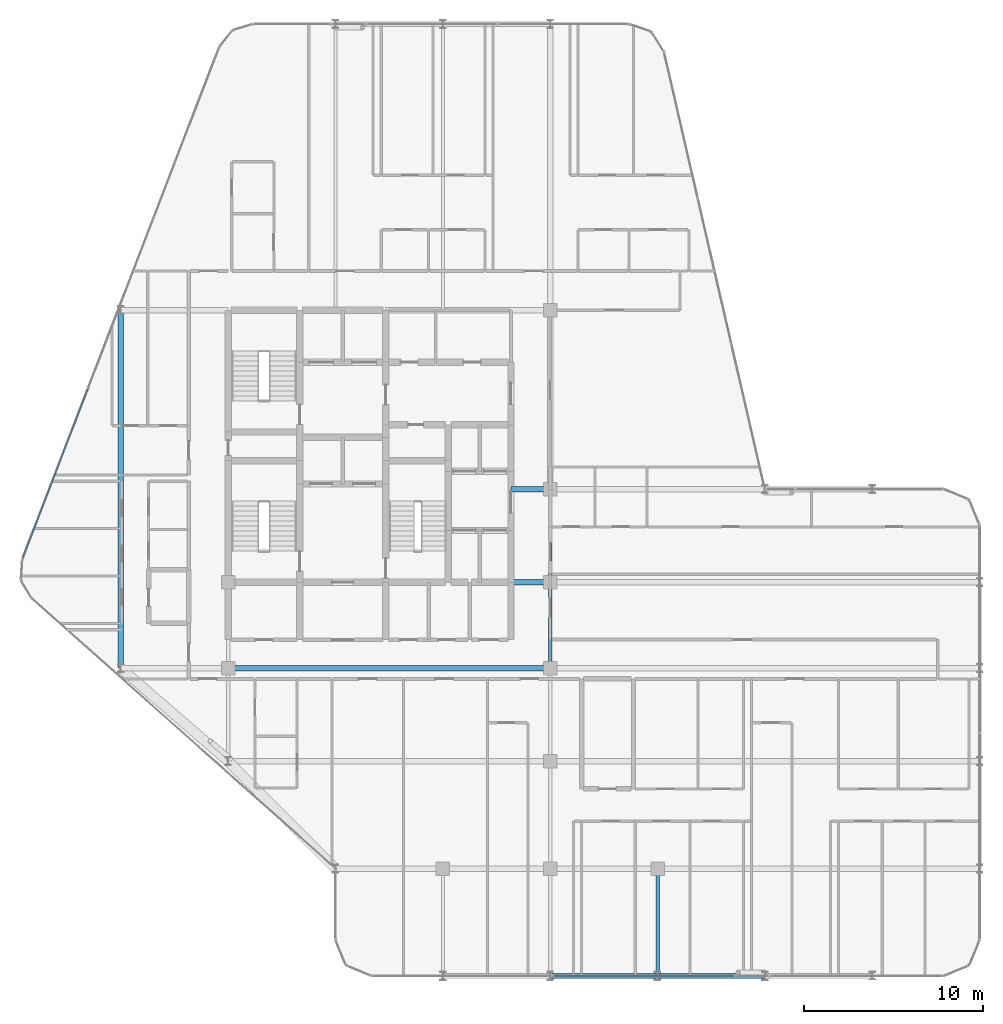
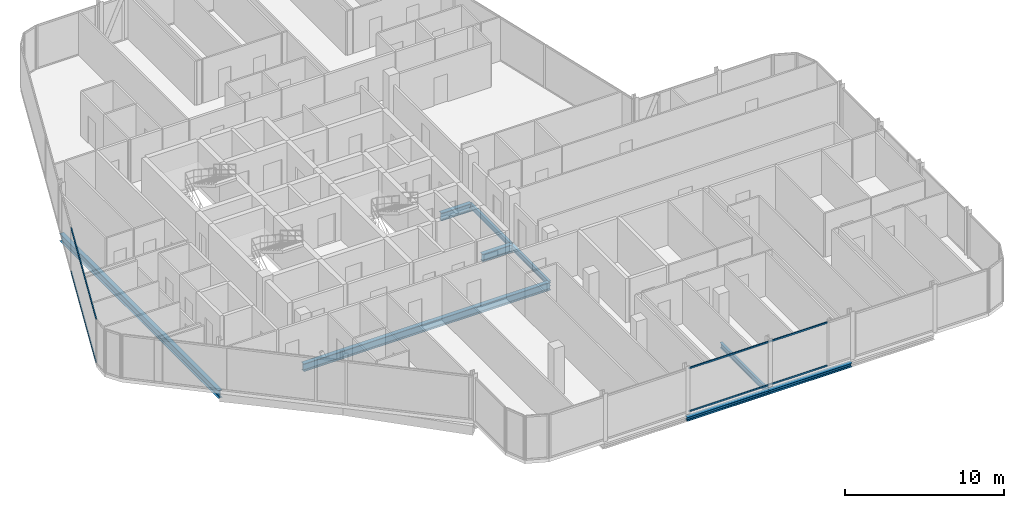
# One storey, part 9 of 29: 9 beams, 4 members, 2 elements without a shape of their own.
"""IFC4 building model written with IfcOpenShell, lengths in metres."""

from ifc_helpers import new_model, si_unit, direction, frame, origin, origin_2d, place, context, subcontext, project, spatial, hollow_rectangle, i_section, extrude, material, layer, layer_set, material_profile, profile_set, type_object, element, aggregate, save


model = new_model("IFC4")

# Units and contexts
model_context = context("Model", 3, precision=1e-05, world=origin(), true_north=direction((0.0, 1.0)))
body_context = subcontext(model_context, "Body", "Model", "MODEL_VIEW")
ifc_project = project(units=[si_unit("LENGTHUNIT", "METRE"), si_unit("AREAUNIT", "SQUARE_METRE"), si_unit("VOLUMEUNIT", "CUBIC_METRE"), si_unit("PLANEANGLEUNIT", "RADIAN"), si_unit("MASSUNIT", "GRAM", prefix="KILO")], contexts=[model_context])

# Site, building, storey
site_placement = place(None, origin())
site = spatial("IfcSite", under=ifc_project, at=site_placement, CompositionType="ELEMENT")
building_placement = place(site_placement, origin())
building = spatial("IfcBuilding", under=site, at=building_placement, Name="Keshet Zoharim Tower", CompositionType="ELEMENT")
storey_placement = place(building_placement, frame((0.0, 0.0, 214.300048828125)))
storey = spatial("IfcBuildingStorey", under=building, at=storey_placement, Name="L53", CompositionType="ELEMENT", Elevation=214.300048828125)

# Beams
ifc_material_1 = material(Name="Steel S355", Category="steel")
ifc_material_profile_1 = material_profile(ifc_material_1, i_section(OverallWidth=0.300048828125, OverallDepth=0.60009765625, WebThickness=0.015380859375, FlangeThickness=0.030029296875, FilletRadius=0.027099609375, at=origin_2d()), Name="HEB600")
ifc_profile_set_1 = profile_set([ifc_material_profile_1], Name="Steel S355")
beam_type_1 = type_object("IfcBeamType", Name="BM-CLK-HB600", PredefinedType="BEAM", material=ifc_profile_set_1)
for number, where, z_axis, x_axis, name in (
    (1, (30.800048828125, 22.699951171875, -0.610107421875), (1.0, 0.0, 0.0), (0.0, 1.0, 0.0), "L53 Core Wall Link Girder 01"),
    (2, (30.800048828125, 27.89990234375, -0.610107421875), (1.0, 0.0, 0.0), (0.0, 1.0, 0.0), "L53 Core Wall Link Girder 02"),
):
    element("IfcBeam", number, at=place(storey_placement, frame(where, z_axis=z_axis, x_axis=x_axis)), inside=storey, type_object=beam_type_1, Name=name, PredefinedType="BEAM", context=body_context, shape_type="SweptSolid", body=[
        extrude(i_section(OverallWidth=0.300048828125, OverallDepth=0.60009765625, WebThickness=0.015380859375, FlangeThickness=0.030029296875, FilletRadius=0.027099609375, at=origin_2d()), origin(), (0.0, 0.0, 1.0), 2.199951171875),
    ])
ifc_material_profile_2 = material_profile(ifc_material_1, i_section(OverallWidth=0.300048828125, OverallDepth=0.60009765625, WebThickness=0.015380859375, FlangeThickness=0.030029296875, FilletRadius=0.027099609375, at=origin_2d()), Name="HEB600")
ifc_profile_set_2 = profile_set([ifc_material_profile_2], Name="Steel S355")
beam_type_2 = type_object("IfcBeamType", Name="BM-LNG-HB600", PredefinedType="BEAM", material=ifc_profile_set_2)
beam_1_placement = place(storey_placement, frame((15.0, 17.89990234375, -0.610107421875), z_axis=(1.0, 0.0, 0.0), x_axis=(0.0, 1.0, 0.0)))
element("IfcBeam", 3, at=beam_1_placement, inside=storey, type_object=beam_type_2, Name="L53 Primary Girder X-012", PredefinedType="BEAM", context=body_context, shape_type="SweptSolid", body=[
    extrude(i_section(OverallWidth=0.300048828125, OverallDepth=0.60009765625, WebThickness=0.015380859375, FlangeThickness=0.030029296875, FilletRadius=0.027099609375, at=origin_2d()), origin(), (0.0, 0.0, 1.0), 18.0),
])
beam_2_placement = place(storey_placement, frame((9.0, 17.89990234375, -0.610107421875), z_axis=(0.0, 1.0, 0.0), x_axis=(-1.0, 0.0, 0.0)))
element("IfcBeam", 4, at=beam_2_placement, inside=storey, type_object=beam_type_2, Name="L53 Primary Girder Y-001", PredefinedType="BEAM", context=body_context, shape_type="SweptSolid", body=[
    extrude(i_section(OverallWidth=0.300048828125, OverallDepth=0.60009765625, WebThickness=0.015380859375, FlangeThickness=0.030029296875, FilletRadius=0.027099609375, at=origin_2d()), origin(), (0.0, 0.0, 1.0), 20.0),
])
ifc_material_profile_3 = material_profile(ifc_material_1, i_section(OverallWidth=0.300048828125, OverallDepth=0.300048828125, WebThickness=0.010986328125, FlangeThickness=0.01904296875, FilletRadius=0.027099609375, at=origin_2d()), Name="HEB300")
ifc_profile_set_3 = profile_set([ifc_material_profile_3], Name="Steel S355")
beam_type_3 = type_object("IfcBeamType", Name="BM-PRI-HB300", PredefinedType="BEAM", material=ifc_profile_set_3)
for number, where, z_axis, x_axis, name in (
    (5, (33.0, 0.699951171875, -0.4599609375), (1.0, 0.0, 0.0), (0.0, 1.0, 0.0), "L53 Primary Girder X-002"),
    (6, (39.0, 0.699951171875, -0.4599609375), (1.0, 0.0, 0.0), (0.0, 1.0, 0.0), "L53 Primary Girder X-003"),
):
    element("IfcBeam", number, at=place(storey_placement, frame(where, z_axis=z_axis, x_axis=x_axis)), inside=storey, type_object=beam_type_3, Name=name, PredefinedType="BEAM", context=body_context, shape_type="SweptSolid", body=[
        extrude(i_section(OverallWidth=0.300048828125, OverallDepth=0.300048828125, WebThickness=0.010986328125, FlangeThickness=0.01904296875, FilletRadius=0.027099609375, at=origin_2d()), origin(), (0.0, 0.0, 1.0), 6.0),
    ])
ifc_material_profile_4 = material_profile(ifc_material_1, i_section(OverallWidth=0.179931640625, OverallDepth=0.39990234375, WebThickness=0.008544921875, FlangeThickness=0.013427734375, FilletRadius=0.02099609375, at=origin_2d()), Name="IPE400")
ifc_profile_set_4 = profile_set([ifc_material_profile_4], Name="Steel S355")
beam_type_4 = type_object("IfcBeamType", Name="BM-PRI-IP400", PredefinedType="BEAM", material=ifc_profile_set_4)
beam_3_placement = place(storey_placement, frame((33.0, 17.89990234375, -0.510009765625), z_axis=(0.0, 1.0, 0.0), x_axis=(-1.0, 0.0, 0.0)))
element("IfcBeam", 7, at=beam_3_placement, inside=storey, type_object=beam_type_4, Name="L53 Primary Girder Y-008", PredefinedType="BEAM", context=body_context, shape_type="SweptSolid", body=[
    extrude(i_section(OverallWidth=0.179931640625, OverallDepth=0.39990234375, WebThickness=0.008544921875, FlangeThickness=0.013427734375, FilletRadius=0.02099609375, at=origin_2d()), origin(), (0.0, 0.0, 1.0), 4.800048828125),
])
beam_4_placement = place(storey_placement, frame((33.0, 22.699951171875, -0.510009765625), z_axis=(0.0, 1.0, 0.0), x_axis=(-1.0, 0.0, 0.0)))
element("IfcBeam", 8, at=beam_4_placement, inside=storey, type_object=beam_type_4, Name="L53 Primary Girder Y-009", PredefinedType="BEAM", context=body_context, shape_type="SweptSolid", body=[
    extrude(i_section(OverallWidth=0.179931640625, OverallDepth=0.39990234375, WebThickness=0.008544921875, FlangeThickness=0.013427734375, FilletRadius=0.02099609375, at=origin_2d()), origin(), (0.0, 0.0, 1.0), 5.199951171875),
])
beam_5_placement = place(storey_placement, frame((39.0, 0.699951171875, -0.510009765625), z_axis=(0.0, 1.0, 0.0), x_axis=(-1.0, 0.0, 0.0)))
element("IfcBeam", 9, at=beam_5_placement, inside=storey, type_object=beam_type_4, Name="L53 Primary Girder Y-012", PredefinedType="BEAM", context=body_context, shape_type="SweptSolid", body=[
    extrude(i_section(OverallWidth=0.179931640625, OverallDepth=0.39990234375, WebThickness=0.008544921875, FlangeThickness=0.013427734375, FilletRadius=0.02099609375, at=origin_2d()), origin(), (0.0, 0.0, 1.0), 6.0),
])

# Curtain wall, members
ifc_material_2 = material(Name="Aluminium 6063-T6", Category="aluminium")
ifc_layer = layer(ifc_material_2, 0.139892578125)
ifc_layer_set = layer_set([ifc_layer], Name="Aluminium 6063-T6")
curtain_wall_type = type_object("IfcCurtainWallType", Name="CW-SYS-05", PredefinedType="NOTDEFINED", material=ifc_layer_set)
curtain_wall_1_placement = place(storey_placement, origin())
curtain_wall_1 = element("IfcCurtainWall", 10, at=curtain_wall_1_placement, inside=storey, type_object=curtain_wall_type, Name="L53 Unitised Curtain Wall 06 Part 3", PredefinedType="NOTDEFINED")
ifc_material_profile_5 = material_profile(ifc_material_2, hollow_rectangle(XDim=0.074951171875, YDim=0.1201171875, WallThickness=0.00390625, at=origin_2d()), Name="TRN-75x120")
ifc_profile_set_5 = profile_set([ifc_material_profile_5], Name="Aluminium 6063-T6")
member_type = type_object("IfcMemberType", Name="CWT-T12", PredefinedType="USERDEFINED", material=ifc_profile_set_5)
member_1_placement = place(storey_placement, frame((43.275146484375, 0.699951171875, 0.034912109375), z_axis=(-1.0, 0.0, 0.0), x_axis=(0.0, -1.0, 0.0)))
member_1 = element("IfcMember", 11, at=member_1_placement, type_object=member_type, Name="CW-05 transom 1.1", ObjectType="TRANSOM", PredefinedType="USERDEFINED", context=body_context, shape_type="SweptSolid", body=[
    extrude(hollow_rectangle(XDim=0.074951171875, YDim=0.1201171875, WallThickness=0.00390625, at=origin_2d()), origin(), (0.0, 0.0, 1.0), 10.1025390625),
])
member_2_placement = place(storey_placement, frame((43.275146484375, 0.699951171875, 3.344970703125), z_axis=(-1.0, 0.0, 0.0), x_axis=(0.0, -1.0, 0.0)))
member_2 = element("IfcMember", 12, at=member_2_placement, type_object=member_type, Name="CW-05 transom 1.2", ObjectType="TRANSOM", PredefinedType="USERDEFINED", context=body_context, shape_type="SweptSolid", body=[
    extrude(hollow_rectangle(XDim=0.074951171875, YDim=0.1201171875, WallThickness=0.00390625, at=origin_2d()), origin(), (0.0, 0.0, 1.0), 10.1025390625),
])
aggregate(curtain_wall_1, [member_1, member_2])

curtain_wall_2_placement = place(storey_placement, origin())
curtain_wall_2 = element("IfcCurtainWall", 13, at=curtain_wall_2_placement, inside=storey, type_object=curtain_wall_type, Name="L53 Unitised Curtain Wall 13", PredefinedType="NOTDEFINED")
member_3_placement = place(storey_placement, frame((3.522216796875, 24.058349609375, 0.034912109375), z_axis=(0.358993631387, 0.93334000912, 0.0), x_axis=(-0.93334000912, 0.358993631387, 0.0)))
member_3 = element("IfcMember", 14, at=member_3_placement, type_object=member_type, Name="CW-05 transom 1.1", ObjectType="TRANSOM", PredefinedType="USERDEFINED", context=body_context, shape_type="SweptSolid", body=[
    extrude(hollow_rectangle(XDim=0.074951171875, YDim=0.1201171875, WallThickness=0.00390625, at=origin_2d()), origin(), (0.0, 0.0, 1.0), 10.1181640625),
])
member_4_placement = place(storey_placement, frame((3.522216796875, 24.058349609375, 3.344970703125), z_axis=(0.358993631387, 0.93334000912, 0.0), x_axis=(-0.93334000912, 0.358993631387, 0.0)))
member_4 = element("IfcMember", 15, at=member_4_placement, type_object=member_type, Name="CW-05 transom 1.2", ObjectType="TRANSOM", PredefinedType="USERDEFINED", context=body_context, shape_type="SweptSolid", body=[
    extrude(hollow_rectangle(XDim=0.074951171875, YDim=0.1201171875, WallThickness=0.00390625, at=origin_2d()), origin(), (0.0, 0.0, 1.0), 10.1181640625),
])
aggregate(curtain_wall_2, [member_3, member_4])

save(model, "model.ifc")
